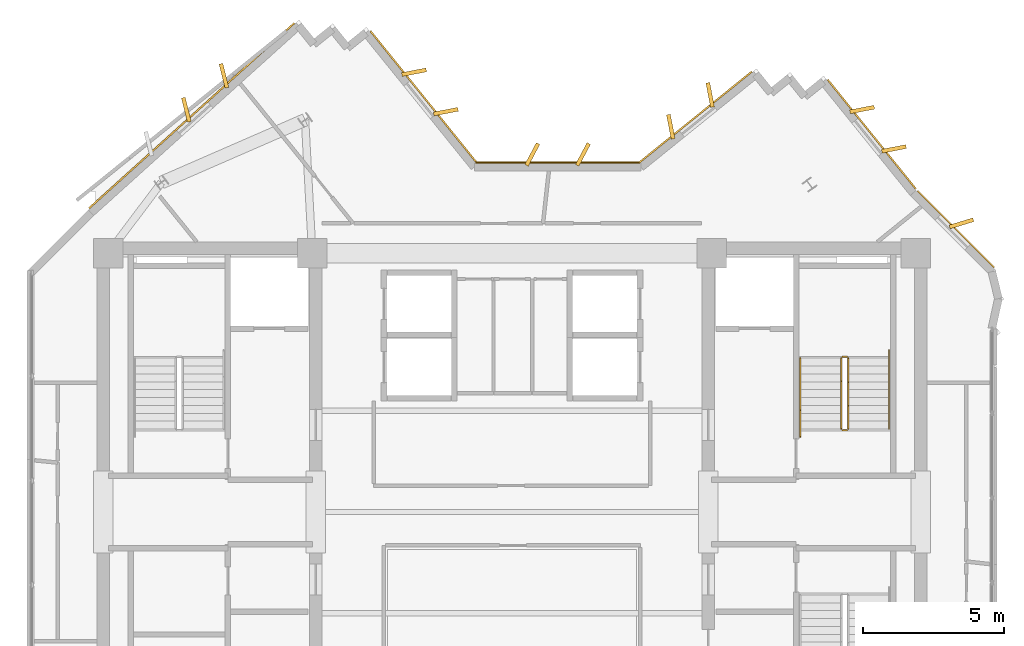
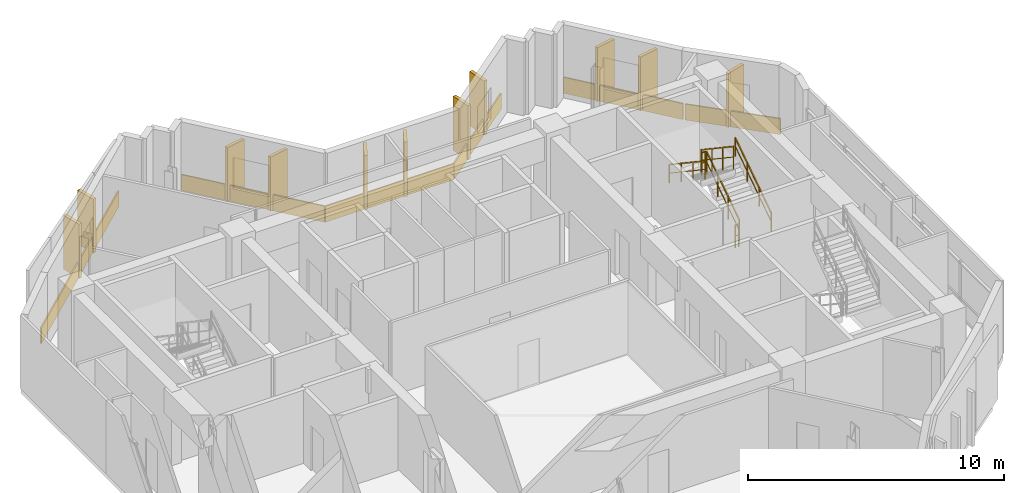
# One storey, part 11 of 11: 17 coverings, 6 railings.
"""IFC4 building model written with IfcOpenShell, lengths in metres."""

from ifc_helpers import new_model, si_unit, direction, frame, origin, origin_2d, place, context, subcontext, project, spatial, rectangle, extrude, source, transform, mapped, material, layer, layer_set, type_object, element, save


model = new_model("IFC4")

# Units and contexts
model_context = context("Model", 3, precision=1e-05, world=origin(), true_north=direction((0.0, 1.0)))
body_context = subcontext(model_context, "Body", "Model", "MODEL_VIEW")
ifc_project = project(units=[si_unit("LENGTHUNIT", "METRE"), si_unit("AREAUNIT", "SQUARE_METRE"), si_unit("VOLUMEUNIT", "CUBIC_METRE"), si_unit("PLANEANGLEUNIT", "RADIAN"), si_unit("MASSUNIT", "GRAM", prefix="KILO")], contexts=[model_context])

# Site, building, storey
site_placement = place(None, origin())
site = spatial("IfcSite", under=ifc_project, at=site_placement, CompositionType="ELEMENT")
building_placement = place(site_placement, origin())
building = spatial("IfcBuilding", under=site, at=building_placement, Name="Zahravan Cultural Tower", CompositionType="ELEMENT")
storey_placement = place(building_placement, frame((0.0, 0.0, 287.85009765625)))
storey = spatial("IfcBuildingStorey", under=building, at=storey_placement, Name="L69", CompositionType="ELEMENT", Elevation=287.85009765625)

# Railings
ifc_material_1 = material(Name="Steel ASTM A572 Grade 50", Category="steel")
railing_type_1 = type_object("IfcRailingType", Name="RL-STAIR-GRD1150", PredefinedType="BALUSTRADE", material=ifc_material_1)
railing_1_placement = place(storey_placement, frame((47.949951171875, 29.949951171875, 0.1875)))
element("IfcRailing", 1, at=railing_1_placement, inside=storey, type_object=railing_type_1, Name="L69 ST-E1 stair guard 1", PredefinedType="BALUSTRADE", context=body_context, shape_type="SweptSolid", body=[
    extrude(rectangle(XDim=0.05, YDim=0.05, at=origin_2d()), frame((0.0, 0.0, 1.0751953125), z_axis=(0.0, 0.830909170722, 0.55640807867), x_axis=(-1.0, 0.0, 0.0)), (0.0, 0.0, 1.0), 3.032958984375),
    extrude(rectangle(XDim=0.032, YDim=0.032, at=origin_2d()), frame((0.0, 0.0, 0.572021484375), z_axis=(0.0, 0.830909170722, 0.55640807867), x_axis=(-1.0, 0.0, 0.0)), (0.0, 0.0, 1.0), 3.032958984375),
    extrude(rectangle(XDim=0.04, YDim=0.04, at=origin_2d()), origin(), (0.0, 0.0, 1.0), 1.10009765625),
    extrude(rectangle(XDim=0.04, YDim=0.04, at=origin_2d()), frame((0.0, 0.840087890625, 0.5625)), (0.0, 0.0, 1.0), 1.10009765625),
    extrude(rectangle(XDim=0.04, YDim=0.04, at=origin_2d()), frame((0.0, 1.679931640625, 1.125)), (0.0, 0.0, 1.0), 1.10009765625),
    extrude(rectangle(XDim=0.04, YDim=0.04, at=origin_2d()), frame((0.0, 2.52001953125, 1.6875)), (0.0, 0.0, 1.0), 1.10009765625),
])
railing_2_placement = place(storey_placement, frame((47.89990234375, 32.52001953125, 1.875)))
element("IfcRailing", 2, at=railing_2_placement, inside=storey, type_object=railing_type_1, Name="L69 ST-E1 stair guard 2", PredefinedType="BALUSTRADE", context=body_context, shape_type="SweptSolid", body=[
    extrude(rectangle(XDim=0.05, YDim=0.05, at=origin_2d()), frame((0.0, 0.0, 1.0751953125), z_axis=(-1.0, 0.0, 0.0), x_axis=(0.0, -1.0, 0.0)), (0.0, 0.0, 1.0), 0.14990234375),
    extrude(rectangle(XDim=0.032, YDim=0.032, at=origin_2d()), frame((0.0, 0.0, 0.572021484375), z_axis=(-1.0, 0.0, 0.0), x_axis=(0.0, -1.0, 0.0)), (0.0, 0.0, 1.0), 0.14990234375),
    extrude(rectangle(XDim=0.04, YDim=0.04, at=origin_2d()), origin(), (0.0, 0.0, 1.0), 1.10009765625),
    extrude(rectangle(XDim=0.04, YDim=0.04, at=origin_2d()), frame((-0.14990234375, 0.0, 0.0)), (0.0, 0.0, 1.0), 1.10009765625),
])
railing_3_placement = place(storey_placement, frame((47.699951171875, 32.469970703125, 2.0625)))
element("IfcRailing", 3, at=railing_3_placement, inside=storey, type_object=railing_type_1, Name="L69 ST-E1 stair guard 3", PredefinedType="BALUSTRADE", context=body_context, shape_type="SweptSolid", body=[
    extrude(rectangle(XDim=0.05, YDim=0.05, at=origin_2d()), frame((0.0, 0.0, 1.0751953125), z_axis=(0.0, -0.830909170722, 0.55640807867), x_axis=(1.0, 0.0, 0.0)), (0.0, 0.0, 1.0), 3.032958984375),
    extrude(rectangle(XDim=0.032, YDim=0.032, at=origin_2d()), frame((0.0, 0.0, 0.572021484375), z_axis=(0.0, -0.830909170722, 0.55640807867), x_axis=(1.0, 0.0, 0.0)), (0.0, 0.0, 1.0), 3.032958984375),
    extrude(rectangle(XDim=0.04, YDim=0.04, at=origin_2d()), origin(), (0.0, 0.0, 1.0), 1.10009765625),
    extrude(rectangle(XDim=0.04, YDim=0.04, at=origin_2d()), frame((0.0, -0.840087890625, 0.5625)), (0.0, 0.0, 1.0), 1.10009765625),
    extrude(rectangle(XDim=0.04, YDim=0.04, at=origin_2d()), frame((0.0, -1.679931640625, 1.125)), (0.0, 0.0, 1.0), 1.10009765625),
    extrude(rectangle(XDim=0.04, YDim=0.04, at=origin_2d()), frame((0.0, -2.52001953125, 1.6875)), (0.0, 0.0, 1.0), 1.10009765625),
])
railing_4_placement = place(storey_placement, frame((47.89990234375, 29.89990234375, 0.0)))
element("IfcRailing", 4, at=railing_4_placement, inside=storey, type_object=railing_type_1, Name="L69 ST-E1 stair guard 4", PredefinedType="BALUSTRADE", context=body_context, shape_type="SweptSolid", body=[
    extrude(rectangle(XDim=0.05, YDim=0.05, at=origin_2d()), frame((0.0, 0.0, 1.0751953125), z_axis=(-1.0, 0.0, 0.0), x_axis=(0.0, -1.0, 0.0)), (0.0, 0.0, 1.0), 0.14990234375),
    extrude(rectangle(XDim=0.032, YDim=0.032, at=origin_2d()), frame((0.0, 0.0, 0.572021484375), z_axis=(-1.0, 0.0, 0.0), x_axis=(0.0, -1.0, 0.0)), (0.0, 0.0, 1.0), 0.14990234375),
    extrude(rectangle(XDim=0.04, YDim=0.04, at=origin_2d()), origin(), (0.0, 0.0, 1.0), 1.10009765625),
    extrude(rectangle(XDim=0.04, YDim=0.04, at=origin_2d()), frame((-0.14990234375, 0.0, 0.0)), (0.0, 0.0, 1.0), 1.10009765625),
])
railing_type_2 = type_object("IfcRailingType", Name="RL-STAIR-HR900", PredefinedType="HANDRAIL", material=ifc_material_1)
railing_5_placement = place(storey_placement, frame((49.39990234375, 29.949951171875, 0.1875)))
element("IfcRailing", 5, at=railing_5_placement, inside=storey, type_object=railing_type_2, Name="L69 ST-E1 stair handrail 1", PredefinedType="HANDRAIL", context=body_context, shape_type="SweptSolid", body=[
    extrude(rectangle(XDim=0.05, YDim=0.05, at=origin_2d()), frame((0.0, 0.0, 0.875), z_axis=(0.0, 0.830911662861, 0.55640435703), x_axis=(-1.0, 0.0, 0.0)), (0.0, 0.0, 1.0), 3.369873046875),
    extrude(rectangle(XDim=0.032, YDim=0.032, at=origin_2d()), frame((0.0, 0.0, 0.468017578125), z_axis=(0.0, 0.830911662861, 0.55640435703), x_axis=(-1.0, 0.0, 0.0)), (0.0, 0.0, 1.0), 3.369873046875),
    extrude(rectangle(XDim=0.04, YDim=0.04, at=origin_2d()), origin(), (0.0, 0.0, 1.0), 0.89990234375),
    extrude(rectangle(XDim=0.04, YDim=0.04, at=origin_2d()), frame((0.0, 0.933349609375, 0.625)), (0.0, 0.0, 1.0), 0.89990234375),
    extrude(rectangle(XDim=0.04, YDim=0.04, at=origin_2d()), frame((0.0, 1.86669921875, 1.25)), (0.0, 0.0, 1.0), 0.89990234375),
    extrude(rectangle(XDim=0.04, YDim=0.04, at=origin_2d()), frame((0.0, 2.800048828125, 1.875)), (0.0, 0.0, 1.0), 0.89990234375),
])
railing_6_placement = place(storey_placement, frame((46.25, 32.469970703125, 2.0625)))
element("IfcRailing", 6, at=railing_6_placement, inside=storey, type_object=railing_type_2, Name="L69 ST-E1 stair handrail 2", PredefinedType="HANDRAIL", context=body_context, shape_type="SweptSolid", body=[
    extrude(rectangle(XDim=0.05, YDim=0.05, at=origin_2d()), frame((0.0, 0.0, 0.875), z_axis=(0.0, -0.830911662861, 0.55640435703), x_axis=(1.0, 0.0, 0.0)), (0.0, 0.0, 1.0), 3.369873046875),
    extrude(rectangle(XDim=0.032, YDim=0.032, at=origin_2d()), frame((0.0, 0.0, 0.468017578125), z_axis=(0.0, -0.830911662861, 0.55640435703), x_axis=(1.0, 0.0, 0.0)), (0.0, 0.0, 1.0), 3.369873046875),
    extrude(rectangle(XDim=0.04, YDim=0.04, at=origin_2d()), origin(), (0.0, 0.0, 1.0), 0.89990234375),
    extrude(rectangle(XDim=0.04, YDim=0.04, at=origin_2d()), frame((0.0, -0.933349609375, 0.625)), (0.0, 0.0, 1.0), 0.89990234375),
    extrude(rectangle(XDim=0.04, YDim=0.04, at=origin_2d()), frame((0.0, -1.86669921875, 1.25)), (0.0, 0.0, 1.0), 0.89990234375),
    extrude(rectangle(XDim=0.04, YDim=0.04, at=origin_2d()), frame((0.0, -2.800048828125, 1.875)), (0.0, 0.0, 1.0), 0.89990234375),
])

# Coverings
ifc_material_2 = material(Name="Terracotta ceramic cladding", Category="masonry")
ifc_layer = layer(ifc_material_2, 0.06005859375)
ifc_layer_set = layer_set([ifc_layer], Name="Terracotta ceramic cladding")
covering_type = type_object("IfcCoveringType", Name="COV-CLAD-TC60", PredefinedType="CLADDING", material=ifc_layer_set)
shared_shape_1 = source(origin(), body_context, "Body", "SweptSolid", [
    extrude(rectangle(XDim=0.8798828125, YDim=0.139892578125, at=origin_2d()), origin(), (0.0, 0.0, 1.0), 2.580078125),
])
for number, where, z_axis, x_axis, name in (
    (7, (24.42333984375, 41.29931640625, 0.0498046875), (0.0, 0.0, 1.0), (-0.242751614931, 0.970088477124, 0.0), "L69 Herringbone Terracotta Fin 02"),
    (8, (25.760009765625, 42.5048828125, 0.0498046875), (0.0, 0.0, 1.0), (-0.242751614931, 0.970088477124, 0.0), "L69 Herringbone Terracotta Fin 03"),
    (9, (32.517578125, 42.631591796875, 0.0498046875), (0.0, 0.0, 1.0), (0.981902563727, 0.189386787677, 0.0), "L69 Herringbone Terracotta Fin 04"),
    (10, (33.648193359375, 41.231201171875, 0.0498046875), (0.0, 0.0, 1.0), (0.981902563727, 0.189386787677, 0.0), "L69 Herringbone Terracotta Fin 05"),
    (11, (36.72216796875, 39.7099609375, 0.0498046875), (0.0, 0.0, 1.0), (0.469471562786, 0.882947592859, 0.0), "L69 Herringbone Terracotta Fin 06"),
    (12, (38.522216796875, 39.7099609375, 0.0498046875), (0.0, 0.0, 1.0), (0.469471562786, 0.882947592859, 0.0), "L69 Herringbone Terracotta Fin 07"),
    (13, (41.6435546875, 40.694580078125, 0.0498046875), (0.0, 0.0, 1.0), (-0.189386787677, 0.981902563727, 0.0), "L69 Herringbone Terracotta Fin 08"),
    (14, (43.0439453125, 41.8251953125, 0.0498046875), (0.0, 0.0, 1.0), (-0.189386787677, 0.981902563727, 0.0), "L69 Herringbone Terracotta Fin 09"),
    (15, (48.44482421875, 41.306396484375, 0.0498046875), (0.0, 0.0, 1.0), (0.981902563727, 0.189386787677, 0.0), "L69 Herringbone Terracotta Fin 10"),
    (16, (49.57568359375, 39.906005859375, 0.0498046875), (0.0, 0.0, 1.0), (0.981902563727, 0.189386787677, 0.0), "L69 Herringbone Terracotta Fin 11"),
    (17, (51.97802734375, 37.26025390625, 0.0498046875), (0.0, 0.0, 1.0), (0.956304755963, 0.292371704723, 0.0), "L69 Herringbone Terracotta Fin 12"),
):
    element("IfcCovering", number, at=place(storey_placement, frame(where, z_axis=z_axis, x_axis=x_axis)), inside=storey, type_object=covering_type, Name=name, PredefinedType="CLADDING", context=body_context, shape_type="MappedRepresentation", body=[
        mapped(shared_shape_1, transform((0.0, 0.0, 0.0), x_axis=(1.0, 0.0, 0.0), y_axis=(0.0, 1.0, 0.0), z_axis=(0.0, 0.0, 1.0), scale=1.0)),
    ])
shared_shape_2 = source(origin(), body_context, "Body", "SweptSolid", [
    extrude(rectangle(XDim=9.8349609375, YDim=0.06005859375, at=origin_2d()), origin(), (0.0, 0.0, 1.0), 0.760009765625),
])
covering_1_placement = place(storey_placement, frame((24.6142578125, 41.087646484375, 0.02001953125), z_axis=(0.0, 0.0, 1.0), x_axis=(0.742572305706, 0.669765907462, 0.0)))
element("IfcCovering", 18, at=covering_1_placement, inside=storey, type_object=covering_type, Name="L69 Terracotta Spandrel Cladding 02", PredefinedType="CLADDING", context=body_context, shape_type="MappedRepresentation", body=[
    mapped(shared_shape_2, transform((0.0, 0.0, 0.0), x_axis=(1.0, 0.0, 0.0), y_axis=(0.0, 1.0, 0.0), z_axis=(0.0, 0.0, 1.0), scale=1.0)),
])
shared_shape_3 = source(origin(), body_context, "Body", "SweptSolid", [
    extrude(rectangle(XDim=6.0400390625, YDim=0.06005859375, at=origin_2d()), origin(), (0.0, 0.0, 1.0), 0.760009765625),
])
covering_2_placement = place(storey_placement, frame((32.861083984375, 41.752197265625, 0.02001953125), z_axis=(0.0, 0.0, 1.0), x_axis=(0.628193939395, -0.778056793883, 0.0)))
element("IfcCovering", 19, at=covering_2_placement, inside=storey, type_object=covering_type, Name="L69 Terracotta Spandrel Cladding 07", PredefinedType="CLADDING", context=body_context, shape_type="MappedRepresentation", body=[
    mapped(shared_shape_3, transform((0.0, 0.0, 0.0), x_axis=(1.0, 0.0, 0.0), y_axis=(0.0, 1.0, 0.0), z_axis=(0.0, 0.0, 1.0), scale=1.0)),
])
shared_shape_4 = source(origin(), body_context, "Body", "SweptSolid", [
    extrude(rectangle(XDim=5.82177734375, YDim=0.06005859375, at=origin_2d()), origin(), (0.0, 0.0, 1.0), 0.760009765625),
])
covering_3_placement = place(storey_placement, frame((37.6220703125, 39.425048828125, 0.02001953125), z_axis=(0.0, 0.0, 1.0), x_axis=(1.0, 0.0, 0.0)))
element("IfcCovering", 20, at=covering_3_placement, inside=storey, type_object=covering_type, Name="L69 Terracotta Spandrel Cladding 08", PredefinedType="CLADDING", context=body_context, shape_type="MappedRepresentation", body=[
    mapped(shared_shape_4, transform((0.0, 0.0, 0.0), x_axis=(1.0, 0.0, 0.0), y_axis=(0.0, 1.0, 0.0), z_axis=(0.0, 0.0, 1.0), scale=1.0)),
])
shared_shape_5 = source(origin(), body_context, "Body", "SweptSolid", [
    extrude(rectangle(XDim=5.152587890625, YDim=0.06005859375, at=origin_2d()), origin(), (0.0, 0.0, 1.0), 0.760009765625),
])
covering_4_placement = place(storey_placement, frame((42.522705078125, 41.0380859375, 0.02001953125), z_axis=(0.0, 0.0, 1.0), x_axis=(0.778056793883, 0.628193939395, 0.0)))
element("IfcCovering", 21, at=covering_4_placement, inside=storey, type_object=covering_type, Name="L69 Terracotta Spandrel Cladding 09", PredefinedType="CLADDING", context=body_context, shape_type="MappedRepresentation", body=[
    mapped(shared_shape_5, transform((0.0, 0.0, 0.0), x_axis=(1.0, 0.0, 0.0), y_axis=(0.0, 1.0, 0.0), z_axis=(0.0, 0.0, 1.0), scale=1.0)),
])
shared_shape_6 = source(origin(), body_context, "Body", "SweptSolid", [
    extrude(rectangle(XDim=4.992919921875, YDim=0.06005859375, at=origin_2d()), origin(), (0.0, 0.0, 1.0), 0.760009765625),
])
covering_5_placement = place(storey_placement, frame((48.788330078125, 40.42724609375, 0.02001953125), z_axis=(0.0, 0.0, 1.0), x_axis=(0.628193939395, -0.778056793883, 0.0)))
element("IfcCovering", 22, at=covering_5_placement, inside=storey, type_object=covering_type, Name="L69 Terracotta Spandrel Cladding 14", PredefinedType="CLADDING", context=body_context, shape_type="MappedRepresentation", body=[
    mapped(shared_shape_6, transform((0.0, 0.0, 0.0), x_axis=(1.0, 0.0, 0.0), y_axis=(0.0, 1.0, 0.0), z_axis=(0.0, 0.0, 1.0), scale=1.0)),
])
shared_shape_7 = source(origin(), body_context, "Body", "SweptSolid", [
    extrude(rectangle(XDim=3.860107421875, YDim=0.06005859375, at=origin_2d()), origin(), (0.0, 0.0, 1.0), 0.760009765625),
])
covering_6_placement = place(storey_placement, frame((51.776611328125, 37.058837890625, 0.02001953125), z_axis=(0.0, 0.0, 1.0), x_axis=(0.707106781187, -0.707106781187, 0.0)))
element("IfcCovering", 23, at=covering_6_placement, inside=storey, type_object=covering_type, Name="L69 Terracotta Spandrel Cladding 15", PredefinedType="CLADDING", context=body_context, shape_type="MappedRepresentation", body=[
    mapped(shared_shape_7, transform((0.0, 0.0, 0.0), x_axis=(1.0, 0.0, 0.0), y_axis=(0.0, 1.0, 0.0), z_axis=(0.0, 0.0, 1.0), scale=1.0)),
])

save(model, "model.ifc")
